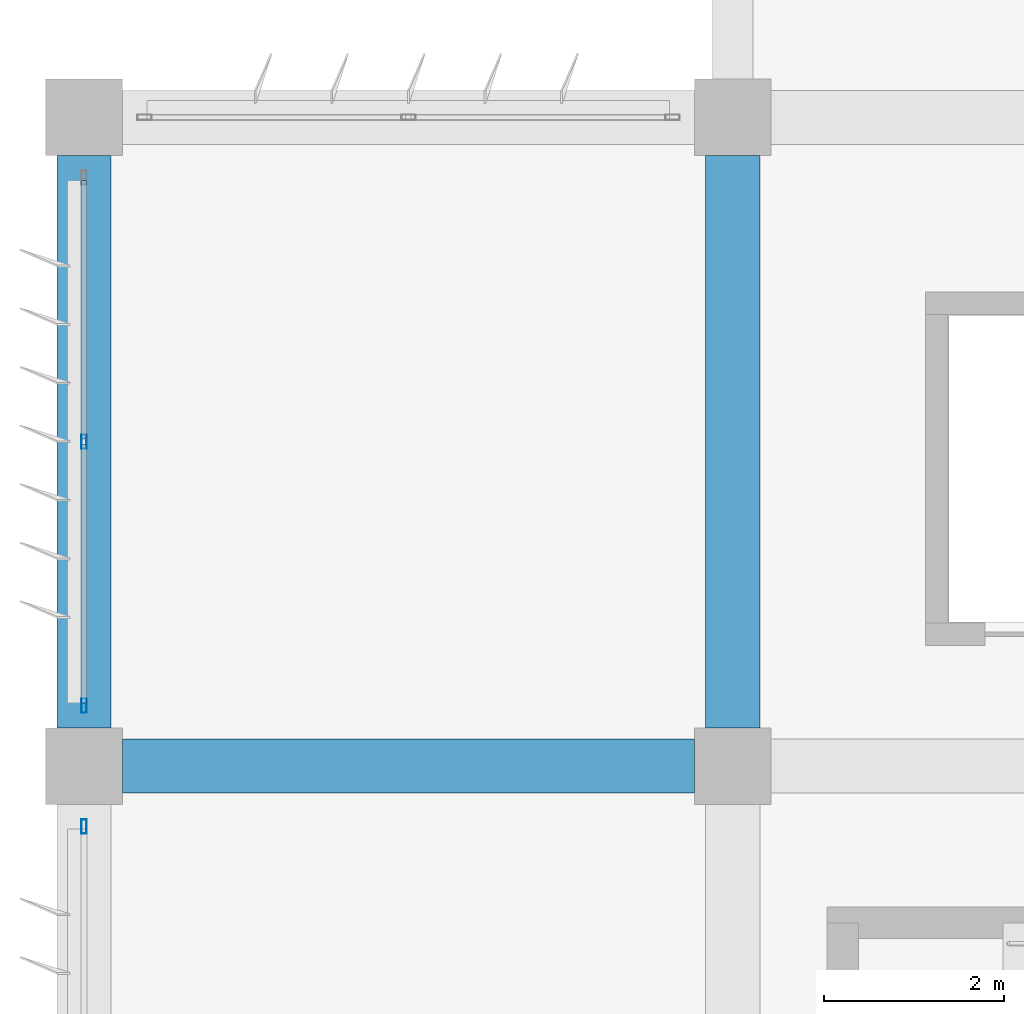
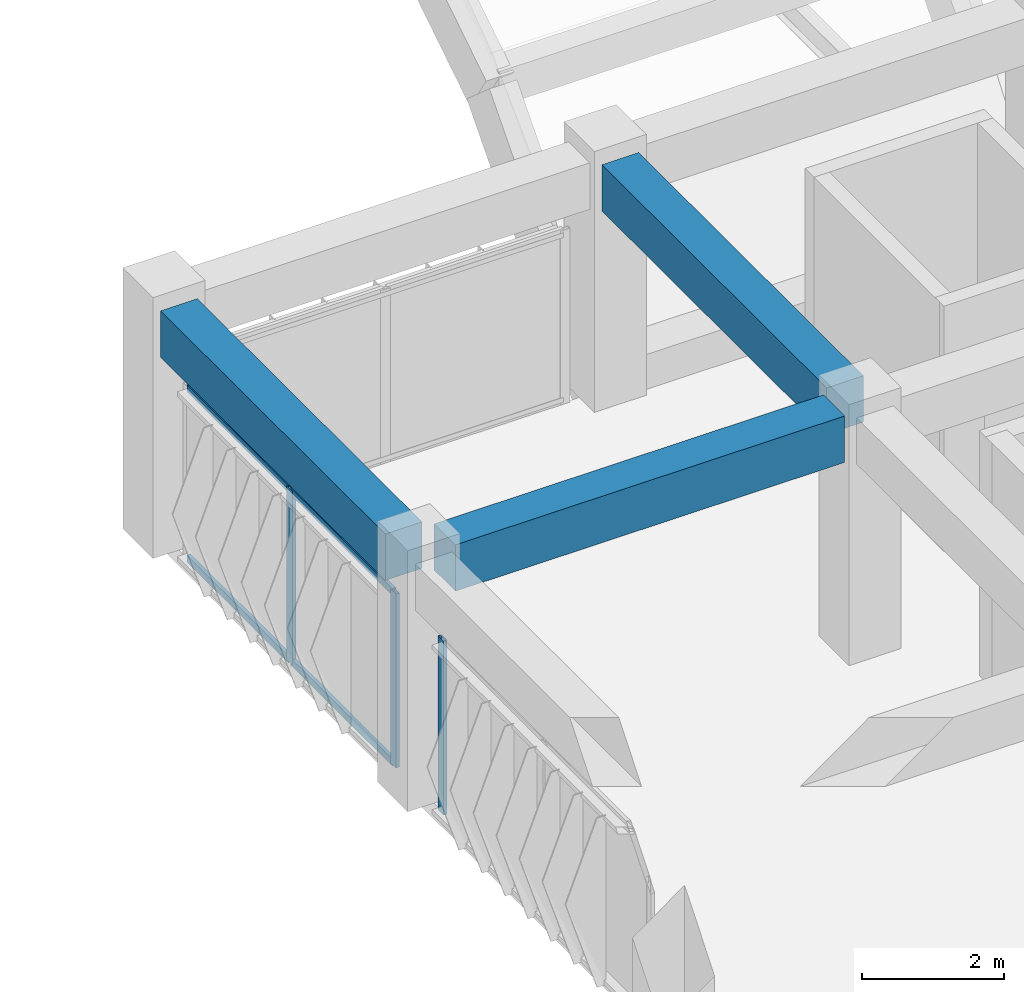
# One storey, part 9 of 48: 7 members, 3 beams, 2 elements without a shape of their own.
"""IFC4 building model written with IfcOpenShell, lengths in metres."""

from ifc_helpers import new_model, si_unit, direction, frame, origin, origin_2d, place, context, subcontext, project, spatial, rectangle, hollow_rectangle, extrude, material, material_profile, profile_set, type_object, element, aggregate, save


model = new_model("IFC4")

# Units and contexts
model_context = context("Model", 3, precision=1e-05, world=origin(), true_north=direction((0.0, 1.0)))
body_context = subcontext(model_context, "Body", "Model", "MODEL_VIEW")
ifc_project = project(units=[si_unit("LENGTHUNIT", "METRE"), si_unit("AREAUNIT", "SQUARE_METRE"), si_unit("VOLUMEUNIT", "CUBIC_METRE"), si_unit("PLANEANGLEUNIT", "RADIAN"), si_unit("MASSUNIT", "GRAM", prefix="KILO")], contexts=[model_context])

# Site, building, storey
site_placement = place(None, origin())
site = spatial("IfcSite", under=ifc_project, at=site_placement, CompositionType="ELEMENT")
building_placement = place(site_placement, origin())
building = spatial("IfcBuilding", under=site, at=building_placement, Name="Kazehaya Institute of Natural Sciences", CompositionType="ELEMENT")
storey_placement = place(building_placement, frame((0.0, 0.0, 19.800048828125)))
storey = spatial("IfcBuildingStorey", under=building, at=storey_placement, Name="L04", CompositionType="ELEMENT", Elevation=19.800048828125)

# Beams
ifc_material_1 = material(Name="Concrete Fc36", Category="concrete")
ifc_material_profile_1 = material_profile(ifc_material_1, rectangle(XDim=0.60009765625, YDim=0.800048828125, at=origin_2d()), Name="RC-600x800")
ifc_profile_set_1 = profile_set([ifc_material_profile_1], Name="Concrete Fc36")
beam_type = type_object("IfcBeamType", Name="BM-G-600x800", PredefinedType="BEAM", material=ifc_profile_set_1)
for number, where, z_axis, x_axis, name in (
    (1, (55.02490234375, 28.39990234375, 3.829833984375), (1.0, 0.0, 0.0), (0.0, 1.0, 0.0), "L04 primary X girder BMX-L04-546-284"),
    (2, (54.60009765625, 28.824951171875, 3.829833984375), (0.0, 1.0, 0.0), (-1.0, 0.0, 0.0), "L04 primary Y girder BMY-L04-546-284"),
    (3, (61.800048828125, 28.824951171875, 3.829833984375), (0.0, 1.0, 0.0), (-1.0, 0.0, 0.0), "L04 primary Y girder BMY-L04-618-284"),
):
    element("IfcBeam", number, at=place(storey_placement, frame(where, z_axis=z_axis, x_axis=x_axis)), inside=storey, type_object=beam_type, Name=name, PredefinedType="BEAM", context=body_context, shape_type="SweptSolid", body=[
        extrude(rectangle(XDim=0.60009765625, YDim=0.800048828125, at=origin_2d()), origin(), (0.0, 0.0, 1.0), 6.35009765625),
    ])

# Curtain wall, member
ifc_material_2 = material(Name="Aluminium alloy A6063S-T5", Category="aluminium")
curtain_wall_type = type_object("IfcCurtainWallType", Name="CW-SYS-10", PredefinedType="NOTDEFINED", material=ifc_material_2)
curtain_wall_1_placement = place(storey_placement, origin())
curtain_wall_1 = element("IfcCurtainWall", 4, at=curtain_wall_1_placement, inside=storey, type_object=curtain_wall_type, Name="L04 unitised curtain wall CW-L04-090", PredefinedType="NOTDEFINED")
ifc_material_profile_2 = material_profile(ifc_material_2, hollow_rectangle(XDim=0.06005859375, YDim=0.159912109375, WallThickness=0.00390625, at=origin_2d()), Name="ALU-60x160x4")
ifc_profile_set_2 = profile_set([ifc_material_profile_2], Name="Aluminium alloy A6063S-T5")
member_type_1 = type_object("IfcMemberType", Name="CWM-160", PredefinedType="MULLION", material=ifc_profile_set_2)
member_1_placement = place(storey_placement, frame((54.60009765625, 27.72998046875, 0.0), z_axis=(0.0, 0.0, 1.0), x_axis=(-1.0, 0.0, 0.0)))
member_1 = element("IfcMember", 5, at=member_1_placement, type_object=member_type_1, Name="CW10 mullion 3", PredefinedType="MULLION", context=body_context, shape_type="SweptSolid", body=[
    extrude(hollow_rectangle(XDim=0.06005859375, YDim=0.159912109375, WallThickness=0.00390625, at=origin_2d()), origin(), (0.0, 0.0, 1.0), 3.0),
])
aggregate(curtain_wall_1, [member_1])

# Curtain wall, members
curtain_wall_2_placement = place(storey_placement, origin())
curtain_wall_2 = element("IfcCurtainWall", 6, at=curtain_wall_2_placement, inside=storey, type_object=curtain_wall_type, Name="L04 unitised curtain wall CW-L04-092", PredefinedType="NOTDEFINED")
member_2_placement = place(storey_placement, frame((54.60009765625, 29.070068359375, 0.0), z_axis=(0.0, 0.0, 1.0), x_axis=(-1.0, 0.0, 0.0)))
member_2 = element("IfcMember", 7, at=member_2_placement, type_object=member_type_1, Name="CW10 mullion 1", PredefinedType="MULLION", context=body_context, shape_type="SweptSolid", body=[
    extrude(hollow_rectangle(XDim=0.06005859375, YDim=0.159912109375, WallThickness=0.00390625, at=origin_2d()), origin(), (0.0, 0.0, 1.0), 3.0),
])
member_3_placement = place(storey_placement, frame((54.60009765625, 32.0, 0.0), z_axis=(0.0, 0.0, 1.0), x_axis=(-1.0, 0.0, 0.0)))
member_3 = element("IfcMember", 8, at=member_3_placement, type_object=member_type_1, Name="CW10 mullion 2", PredefinedType="MULLION", context=body_context, shape_type="SweptSolid", body=[
    extrude(hollow_rectangle(XDim=0.06005859375, YDim=0.159912109375, WallThickness=0.00390625, at=origin_2d()), origin(), (0.0, 0.0, 1.0), 3.0),
])
ifc_material_profile_3 = material_profile(ifc_material_2, hollow_rectangle(XDim=0.06005859375, YDim=0.1201171875, WallThickness=0.00341796875, at=origin_2d()), Name="ALU-60x120x3.5")
ifc_profile_set_3 = profile_set([ifc_material_profile_3], Name="Aluminium alloy A6063S-T5")
member_type_2 = type_object("IfcMemberType", Name="CWT-120", PredefinedType="USERDEFINED", material=ifc_profile_set_3)
member_4_placement = place(storey_placement, frame((54.60009765625, 29.10009765625, 0.030029296875), z_axis=(0.0, 1.0, 0.0), x_axis=(-1.0, 0.0, 0.0)))
member_4 = element("IfcMember", 9, at=member_4_placement, type_object=member_type_2, Name="CW10 transom 1.1", ObjectType="TRANSOM", PredefinedType="USERDEFINED", context=body_context, shape_type="SweptSolid", body=[
    extrude(hollow_rectangle(XDim=0.06005859375, YDim=0.1201171875, WallThickness=0.00341796875, at=origin_2d()), origin(), (0.0, 0.0, 1.0), 2.869873046875),
])
member_5_placement = place(storey_placement, frame((54.60009765625, 29.10009765625, 2.969970703125), z_axis=(0.0, 1.0, 0.0), x_axis=(-1.0, 0.0, 0.0)))
member_5 = element("IfcMember", 10, at=member_5_placement, type_object=member_type_2, Name="CW10 transom 1.2", ObjectType="TRANSOM", PredefinedType="USERDEFINED", context=body_context, shape_type="SweptSolid", body=[
    extrude(hollow_rectangle(XDim=0.06005859375, YDim=0.1201171875, WallThickness=0.00341796875, at=origin_2d()), origin(), (0.0, 0.0, 1.0), 2.869873046875),
])
member_6_placement = place(storey_placement, frame((54.60009765625, 32.030029296875, 0.030029296875), z_axis=(0.0, 1.0, 0.0), x_axis=(-1.0, 0.0, 0.0)))
member_6 = element("IfcMember", 11, at=member_6_placement, type_object=member_type_2, Name="CW10 transom 2.1", ObjectType="TRANSOM", PredefinedType="USERDEFINED", context=body_context, shape_type="SweptSolid", body=[
    extrude(hollow_rectangle(XDim=0.06005859375, YDim=0.1201171875, WallThickness=0.00341796875, at=origin_2d()), origin(), (0.0, 0.0, 1.0), 2.869873046875),
])
member_7_placement = place(storey_placement, frame((54.60009765625, 32.030029296875, 2.969970703125), z_axis=(0.0, 1.0, 0.0), x_axis=(-1.0, 0.0, 0.0)))
member_7 = element("IfcMember", 12, at=member_7_placement, type_object=member_type_2, Name="CW10 transom 2.2", ObjectType="TRANSOM", PredefinedType="USERDEFINED", context=body_context, shape_type="SweptSolid", body=[
    extrude(hollow_rectangle(XDim=0.06005859375, YDim=0.1201171875, WallThickness=0.00341796875, at=origin_2d()), origin(), (0.0, 0.0, 1.0), 2.869873046875),
])
aggregate(curtain_wall_2, [member_2, member_3, member_4, member_5, member_6, member_7])

save(model, "model.ifc")
